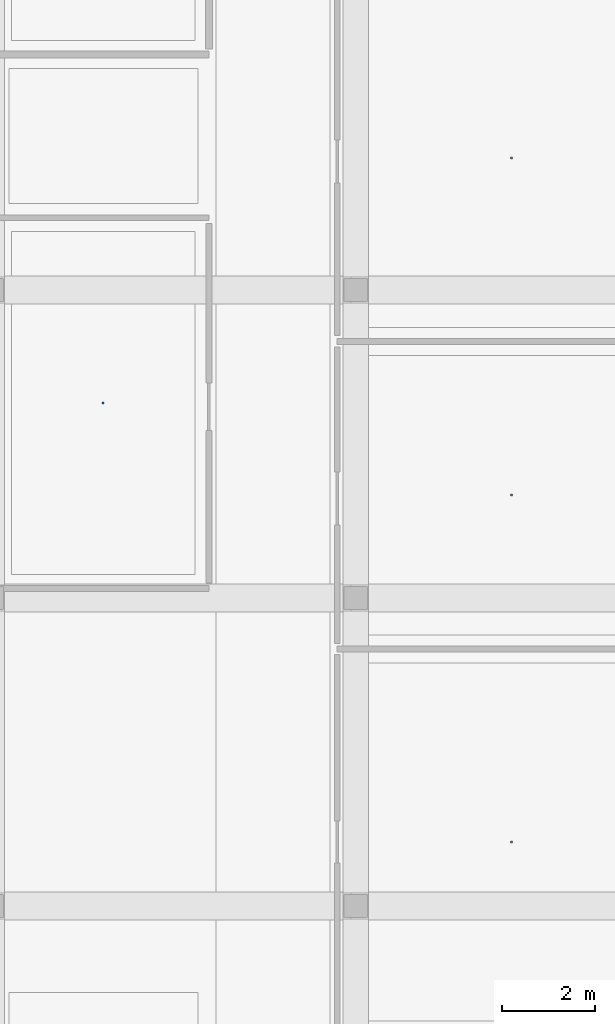
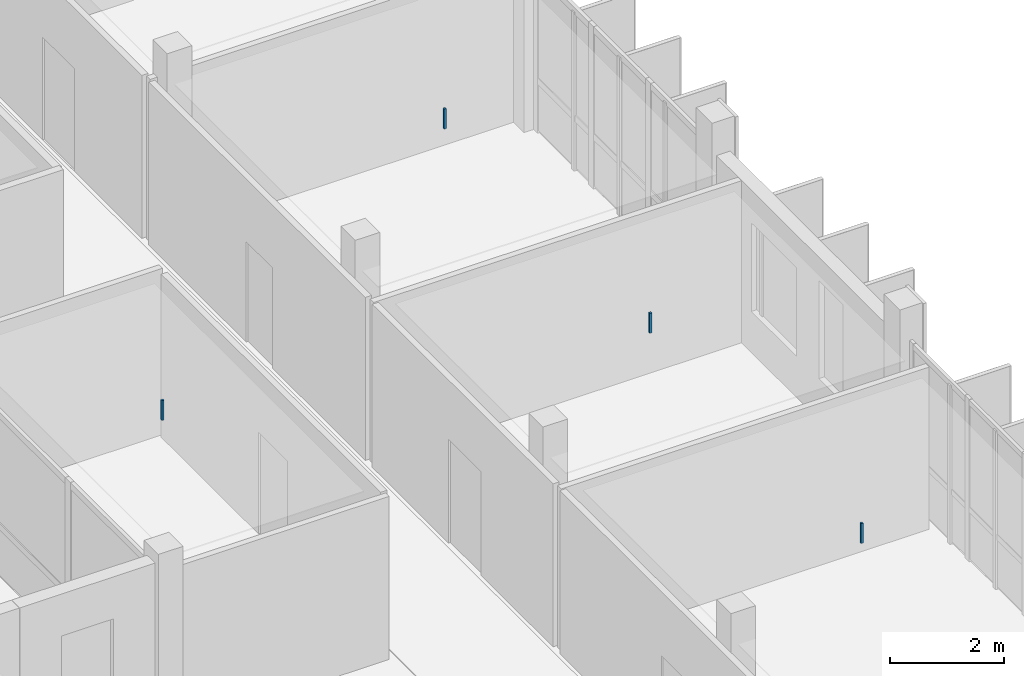
# One storey, part 71 of 85: 4 discrete accessories.
"""IFC4 building model written with IfcOpenShell, lengths in metres."""

from ifc_helpers import new_model, si_unit, derived_unit, direction, frame, origin, origin_2d, place, context, subcontext, project, spatial, rectangle, extrude, material, type_object, element, save


model = new_model("IFC4")

# Units and contexts
model_context = context("Model", 3, precision=1e-05, world=origin(), true_north=direction((0.0, 1.0)))
body_context = subcontext(model_context, "Body", "Model", "MODEL_VIEW")
ifc_project = project(units=[si_unit("LENGTHUNIT", "METRE"), si_unit("AREAUNIT", "SQUARE_METRE"), si_unit("VOLUMEUNIT", "CUBIC_METRE"), si_unit("PLANEANGLEUNIT", "RADIAN"), si_unit("MASSUNIT", "GRAM", prefix="KILO"), derived_unit("THERMALTRANSMITTANCEUNIT", [(si_unit("POWERUNIT", "WATT"), 1), (si_unit("LENGTHUNIT", "METRE"), -2), (si_unit("THERMODYNAMICTEMPERATUREUNIT", "KELVIN"), -1)])], contexts=[model_context])

# Site, building, storey
site_placement = place(None, origin())
site = spatial("IfcSite", under=ifc_project, at=site_placement, CompositionType="ELEMENT")
building_placement = place(site_placement, origin())
building = spatial("IfcBuilding", under=site, at=building_placement, Name="Braskholm Square Health Centre", CompositionType="ELEMENT")
storey_placement = place(building_placement, frame((0.0, 0.0, 9.300048828125)))
storey = spatial("IfcBuildingStorey", under=building, at=storey_placement, Name="L03", CompositionType="ELEMENT", Elevation=9.300048828125)

# Discrete accessories
ifc_material = material(Name="Steel ASTM A500 Grade C", Category="steel")
discrete_accessory_type = type_object("IfcDiscreteAccessoryType", Name="CeilingSuspensionBracket", PredefinedType="BRACKET", material=ifc_material)
for number, where, z_axis, x_axis, name in (
    (1, (159.93994140625, 88.574951171875, 3.48193359375), (0.0, 0.0, 1.0), (1.0, 0.0, 0.0), "Ceiling hanger bracket 0160"),
    (2, (159.93994140625, 96.0048828125, 3.48193359375), (0.0, 0.0, 1.0), (1.0, 0.0, 0.0), "Ceiling hanger bracket 0161"),
    (3, (159.93994140625, 103.22509765625, 3.48193359375), (0.0, 0.0, 1.0), (1.0, 0.0, 0.0), "Ceiling hanger bracket 0162"),
    (4, (151.18505859375, 97.97509765625, 3.48193359375), (0.0, 0.0, 1.0), (1.0, 0.0, 0.0), "Ceiling hanger bracket 0168"),
):
    element("IfcDiscreteAccessory", number, at=place(storey_placement, frame(where, z_axis=z_axis, x_axis=x_axis)), inside=storey, type_object=discrete_accessory_type, Name=name, PredefinedType="BRACKET", context=body_context, shape_type="SweptSolid", body=[
        extrude(rectangle(XDim=0.044921875, YDim=0.044921875, at=origin_2d()), origin(), (0.0, 0.0, 1.0), 0.429931640625),
    ])

save(model, "model.ifc")
